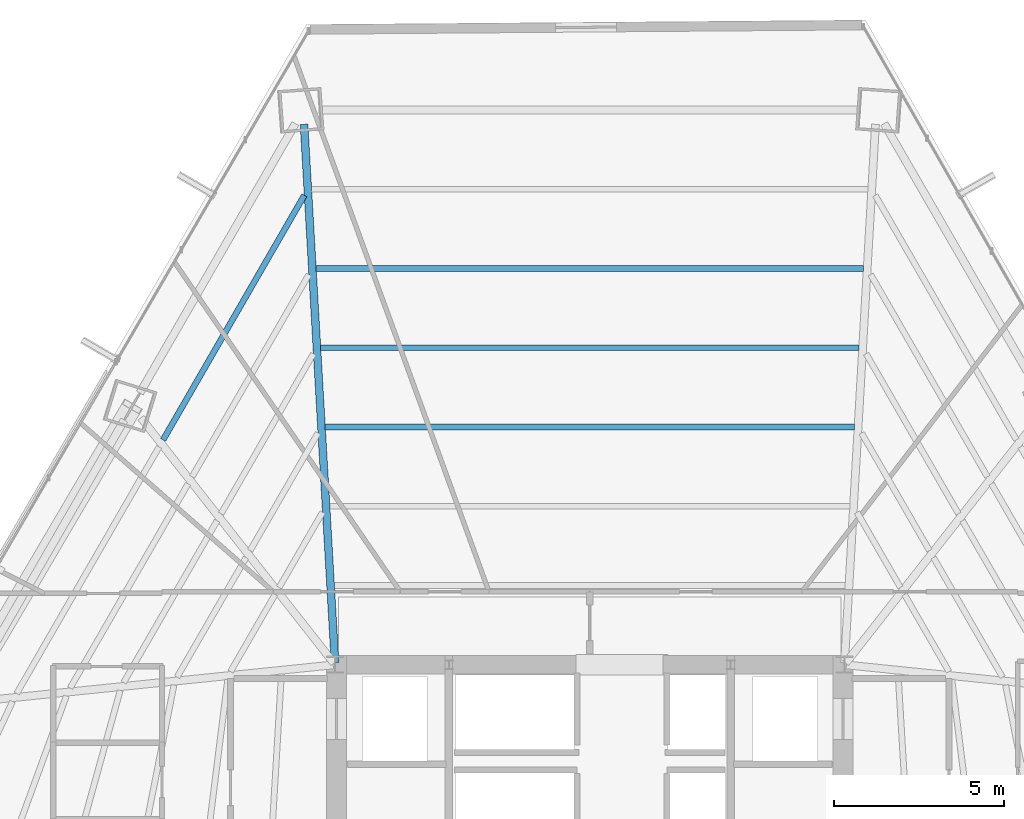
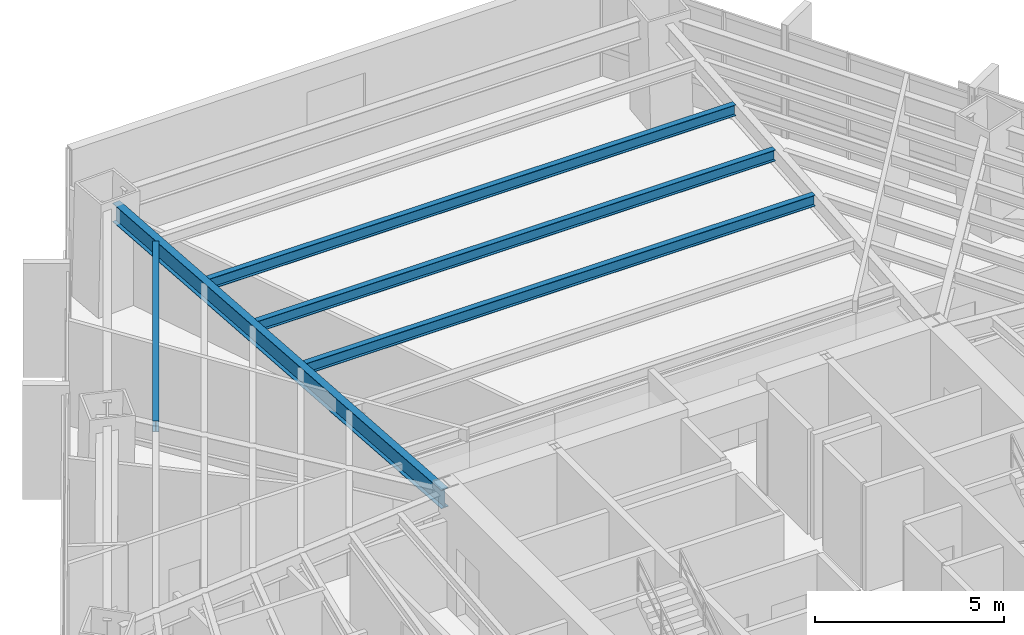
# One storey, part 25 of 36: 5 beams.
"""IFC4 building model written with IfcOpenShell, lengths in metres."""

from ifc_helpers import new_model, si_unit, direction, frame, origin, origin_2d, place, context, subcontext, project, spatial, i_section, extrude, source, transform, mapped, material, material_profile, profile_set, type_object, type_shapes, element, save


model = new_model("IFC4")

# Units and contexts
model_context = context("Model", 3, precision=1e-05, world=origin(), true_north=direction((0.0, 1.0)))
body_context = subcontext(model_context, "Body", "Model", "MODEL_VIEW")
ifc_project = project(units=[si_unit("LENGTHUNIT", "METRE"), si_unit("AREAUNIT", "SQUARE_METRE"), si_unit("VOLUMEUNIT", "CUBIC_METRE"), si_unit("PLANEANGLEUNIT", "RADIAN"), si_unit("MASSUNIT", "GRAM", prefix="KILO")], contexts=[model_context])

# Site, building, storey
site_placement = place(None, origin())
site = spatial("IfcSite", under=ifc_project, at=site_placement, CompositionType="ELEMENT")
building_placement = place(site_placement, origin())
building = spatial("IfcBuilding", under=site, at=building_placement, Name="Caelisora Broadcast Tower", CompositionType="ELEMENT")
storey_placement = place(building_placement, frame((0.0, 0.0, 60.449951171875)))
storey = spatial("IfcBuildingStorey", under=building, at=storey_placement, Name="L15", CompositionType="ELEMENT", Elevation=60.449951171875)

# Beams
ifc_material = material(Name="Steel Grade 350 (AS/NZS 3679.1)", Category="steel")
ifc_material_profile_1 = material_profile(ifc_material, i_section(OverallWidth=0.22802734375, OverallDepth=0.602294921875, WebThickness=0.010498046875, FlangeThickness=0.014892578125, at=origin_2d()), Name="Steel Grade 350 (AS/NZS 3679.1)")
ifc_profile_set_1 = profile_set([ifc_material_profile_1], Name="Steel Grade 350 (AS/NZS 3679.1)")
beam_type_1 = type_object("IfcBeamType", Name="PG04", PredefinedType="BEAM", material=ifc_profile_set_1)
shared_shape_1 = source(origin(), body_context, "Body", "SweptSolid", [
    extrude(i_section(OverallWidth=0.22802734375, OverallDepth=0.602294921875, WebThickness=0.010498046875, FlangeThickness=0.014892578125, at=origin_2d()), origin(), (0.0, 0.0, 1.0), 15.88330078125),
])
type_shapes(beam_type_1, [shared_shape_1])
beam_1_placement = place(storey_placement, frame((30.49658203125, 30.059814453125, 3.098876953125), z_axis=(-0.057425364673, 0.99834980217, 0.0), x_axis=(-0.99834980217, -0.057425364673, 0.0)))
element("IfcBeam", 1, at=beam_1_placement, inside=storey, type_object=beam_type_1, Name="L15 beam PG04", PredefinedType="BEAM", context=body_context, shape_type="MappedRepresentation", body=[
    mapped(shared_shape_1, transform((0.0, 0.0, 0.0), scale=1.0)),
])
ifc_material_profile_2 = material_profile(ifc_material, i_section(OverallWidth=0.172119140625, OverallDepth=0.358642578125, WebThickness=0.008056640625, FlangeThickness=0.012939453125, at=origin_2d()), Name="Steel Grade 350 (AS/NZS 3679.1)")
ifc_profile_set_2 = profile_set([ifc_material_profile_2], Name="Steel Grade 350 (AS/NZS 3679.1)")
beam_type_2 = type_object("IfcBeamType", Name="SB02", PredefinedType="JOIST", material=ifc_profile_set_2)
shared_shape_2 = source(origin(), body_context, "Body", "SweptSolid", [
    extrude(i_section(OverallWidth=0.172119140625, OverallDepth=0.358642578125, WebThickness=0.008056640625, FlangeThickness=0.012939453125, at=origin_2d()), origin(), (0.0, 0.0, 1.0), 15.5830078125),
])
beam_2_placement = place(storey_placement, frame((45.79150390625, 37.001220703125, 3.220703125), z_axis=(-1.0, 0.0, 0.0), x_axis=(0.0, -1.0, 0.0)))
element("IfcBeam", 2, at=beam_2_placement, inside=storey, type_object=beam_type_2, Name="L15 beam SB02", PredefinedType="JOIST", context=body_context, shape_type="MappedRepresentation", body=[
    mapped(shared_shape_2, transform((0.0, 0.0, 0.0), scale=1.0)),
])
shared_shape_3 = source(origin(), body_context, "Body", "SweptSolid", [
    extrude(i_section(OverallWidth=0.172119140625, OverallDepth=0.358642578125, WebThickness=0.008056640625, FlangeThickness=0.012939453125, at=origin_2d()), origin(), (0.0, 0.0, 1.0), 15.8515625),
])
beam_3_placement = place(storey_placement, frame((45.92578125, 39.3349609375, 3.220703125), z_axis=(-1.0, 0.0, 0.0), x_axis=(0.0, -1.0, 0.0)))
element("IfcBeam", 3, at=beam_3_placement, inside=storey, type_object=beam_type_2, Name="L15 beam SB02", PredefinedType="JOIST", context=body_context, shape_type="MappedRepresentation", body=[
    mapped(shared_shape_3, transform((0.0, 0.0, 0.0), scale=1.0)),
])
shared_shape_4 = source(origin(), body_context, "Body", "SweptSolid", [
    extrude(i_section(OverallWidth=0.172119140625, OverallDepth=0.358642578125, WebThickness=0.008056640625, FlangeThickness=0.012939453125, at=origin_2d()), origin(), (0.0, 0.0, 1.0), 16.11962890625),
])
beam_4_placement = place(storey_placement, frame((46.059814453125, 41.668701171875, 3.220703125), z_axis=(-1.0, 0.0, 0.0), x_axis=(0.0, -1.0, 0.0)))
element("IfcBeam", 4, at=beam_4_placement, inside=storey, type_object=beam_type_2, Name="L15 beam SB02", PredefinedType="JOIST", context=body_context, shape_type="MappedRepresentation", body=[
    mapped(shared_shape_4, transform((0.0, 0.0, 0.0), scale=1.0)),
])
shared_shape_5 = source(origin(), body_context, "Body", "SweptSolid", [
    extrude(i_section(OverallWidth=0.172119140625, OverallDepth=0.358642578125, WebThickness=0.008056640625, FlangeThickness=0.012939453125, at=origin_2d()), origin(), (0.0, 0.0, 1.0), 8.31787109375),
])
type_shapes(beam_type_2, [shared_shape_2, shared_shape_3, shared_shape_4, shared_shape_5])
beam_5_placement = place(storey_placement, frame((29.59228515625, 43.8251953125, 3.220703125), z_axis=(-0.500006170614, -0.866021841149, 0.0), x_axis=(0.866021841149, -0.500006170614, 0.0)))
element("IfcBeam", 5, at=beam_5_placement, inside=storey, type_object=beam_type_2, Name="L15 beam SB02", PredefinedType="JOIST", context=body_context, shape_type="MappedRepresentation", body=[
    mapped(shared_shape_5, transform((0.0, 0.0, 0.0), scale=1.0)),
])

save(model, "model.ifc")
